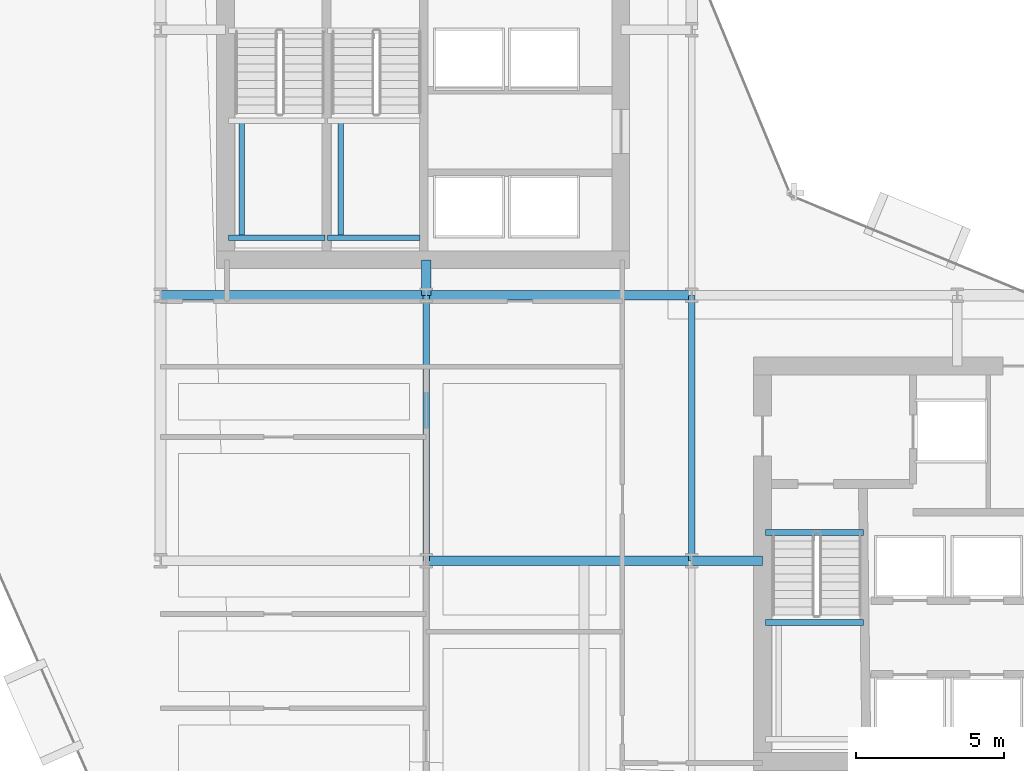
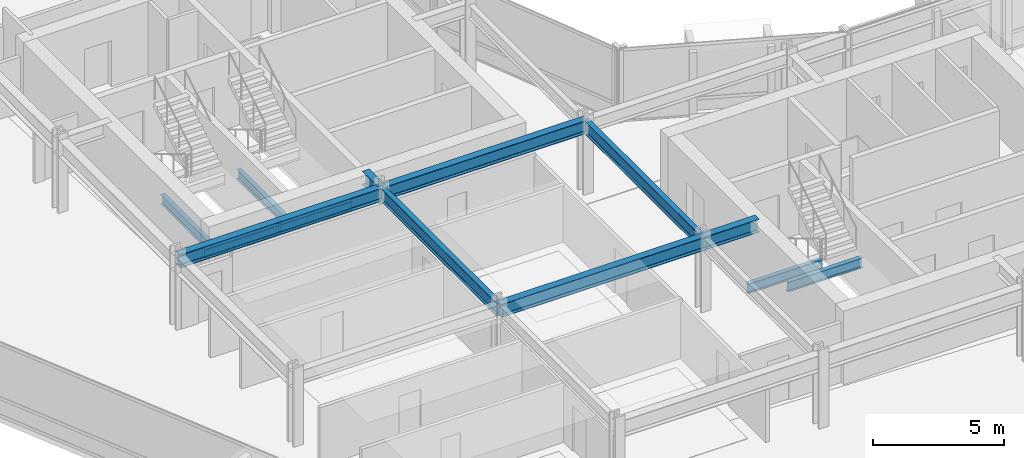
# One storey, part 7 of 34: 13 beams.
"""IFC4 building model written with IfcOpenShell, lengths in metres."""

from ifc_helpers import new_model, si_unit, direction, frame, origin, origin_2d, place, context, subcontext, project, spatial, i_section, extrude, material, material_profile, profile_set, type_object, element, save


model = new_model("IFC4")

# Units and contexts
model_context = context("Model", 3, precision=1e-05, world=origin(), true_north=direction((0.0, 1.0)))
body_context = subcontext(model_context, "Body", "Model", "MODEL_VIEW")
ifc_project = project(units=[si_unit("LENGTHUNIT", "METRE"), si_unit("AREAUNIT", "SQUARE_METRE"), si_unit("VOLUMEUNIT", "CUBIC_METRE"), si_unit("PLANEANGLEUNIT", "RADIAN"), si_unit("MASSUNIT", "GRAM", prefix="KILO")], contexts=[model_context])

# Site, building, storey
site_placement = place(None, origin())
site = spatial("IfcSite", under=ifc_project, at=site_placement, CompositionType="ELEMENT")
building_placement = place(site_placement, origin())
building = spatial("IfcBuilding", under=site, at=building_placement, Name="Solvaryn Broadcast Tower", CompositionType="ELEMENT")
storey_placement = place(building_placement, frame((0.0, 0.0, 65.60009765625)))
storey = spatial("IfcBuildingStorey", under=building, at=storey_placement, Name="L15", CompositionType="ELEMENT", Elevation=65.60009765625)

# Beams
ifc_material_1 = material(Name="Steel ASTM A992 Grade 50", Category="steel")
ifc_material_profile_1 = material_profile(ifc_material_1, i_section(OverallWidth=0.323974609375, OverallDepth=0.611083984375, WebThickness=0.0126953125, FlangeThickness=0.01904296875, FilletRadius=0.014892578125, at=origin_2d()))
ifc_profile_set_1 = profile_set([ifc_material_profile_1], Name="Steel ASTM A992 Grade 50")
beam_type_1 = type_object("IfcBeamType", Name="BM-B1-W24X104", PredefinedType="BEAM", material=ifc_profile_set_1)
for number, where, z_axis, x_axis, name in (
    (1, (18.0, 18.0, 3.114501953125), (1.0, 0.0, 0.0), (0.0, 1.0, 0.0), "L15 Primary Beam X (18-27 @ Y=18)"),
    (2, (9.0, 27.0, 3.114501953125), (1.0, 0.0, 0.0), (0.0, 1.0, 0.0), "L15 Primary Beam X (9-18 @ Y=27)"),
    (3, (18.0, 27.0, 3.114501953125), (1.0, 0.0, 0.0), (0.0, 1.0, 0.0), "L15 Primary Beam X (18-27 @ Y=27)"),
):
    element("IfcBeam", number, at=place(storey_placement, frame(where, z_axis=z_axis, x_axis=x_axis)), inside=storey, type_object=beam_type_1, Name=name, PredefinedType="BEAM", context=body_context, shape_type="SweptSolid", body=[
        extrude(i_section(OverallWidth=0.323974609375, OverallDepth=0.611083984375, WebThickness=0.0126953125, FlangeThickness=0.01904296875, FilletRadius=0.014892578125, at=origin_2d()), origin(), (0.0, 0.0, 1.0), 9.0),
    ])
beam_1_placement = place(storey_placement, frame((18.0, 27.0, 3.114501953125), z_axis=(0.0, 1.0, 0.0), x_axis=(-1.0, 0.0, 0.0)))
element("IfcBeam", 4, at=beam_1_placement, inside=storey, type_object=beam_type_1, Name="L15 Core Tie Beam CTW4", PredefinedType="BEAM", context=body_context, shape_type="SweptSolid", body=[
    extrude(i_section(OverallWidth=0.323974609375, OverallDepth=0.611083984375, WebThickness=0.0126953125, FlangeThickness=0.01904296875, FilletRadius=0.014892578125, at=origin_2d()), origin(), (0.0, 0.0, 1.0), 1.199951171875),
])
beam_2_placement = place(storey_placement, frame((27.0, 18.0, 3.114501953125), z_axis=(1.0, 0.0, 0.0), x_axis=(0.0, 1.0, 0.0)))
element("IfcBeam", 5, at=beam_2_placement, inside=storey, type_object=beam_type_1, Name="L15 Core Tie Beam CTE4", PredefinedType="BEAM", context=body_context, shape_type="SweptSolid", body=[
    extrude(i_section(OverallWidth=0.323974609375, OverallDepth=0.611083984375, WebThickness=0.0126953125, FlangeThickness=0.01904296875, FilletRadius=0.014892578125, at=origin_2d()), origin(), (0.0, 0.0, 1.0), 2.39990234375),
])
ifc_material_2 = material(Name="Steel ASTM A992 Grade 50", Category="steel")
ifc_material_profile_2 = material_profile(ifc_material_2, i_section(OverallWidth=0.22802734375, OverallDepth=0.60791015625, WebThickness=0.01123046875, FlangeThickness=0.017333984375, FilletRadius=0.014892578125, at=origin_2d()))
ifc_profile_set_2 = profile_set([ifc_material_profile_2], Name="Steel ASTM A992 Grade 50")
beam_type_2 = type_object("IfcBeamType", Name="BM-B2-W24X76", PredefinedType="BEAM", material=ifc_profile_set_2)
for number, where, z_axis, x_axis, name in (
    (6, (18.0, 18.0, 3.115966796875), (0.0, 1.0, 0.0), (-1.0, 0.0, 0.0), "L15 Primary Beam Y (18-27 @ X=18)"),
    (7, (27.0, 18.0, 3.115966796875), (0.0, 1.0, 0.0), (-1.0, 0.0, 0.0), "L15 Primary Beam Y (18-27 @ X=27)"),
):
    element("IfcBeam", number, at=place(storey_placement, frame(where, z_axis=z_axis, x_axis=x_axis)), inside=storey, type_object=beam_type_2, Name=name, PredefinedType="BEAM", context=body_context, shape_type="SweptSolid", body=[
        extrude(i_section(OverallWidth=0.22802734375, OverallDepth=0.60791015625, WebThickness=0.01123046875, FlangeThickness=0.017333984375, FilletRadius=0.014892578125, at=origin_2d()), origin(), (0.0, 0.0, 1.0), 9.0),
    ])
ifc_material_3 = material(Name="Steel ASTM A992 Grade 50", Category="steel")
ifc_material_profile_3 = material_profile(ifc_material_3, i_section(OverallWidth=0.18994140625, OverallDepth=0.45703125, WebThickness=0.009033203125, FlangeThickness=0.014404296875, FilletRadius=0.011962890625, at=origin_2d()))
ifc_profile_set_3 = profile_set([ifc_material_profile_3], Name="Steel ASTM A992 Grade 50")
beam_type_3 = type_object("IfcBeamType", Name="BM-B4-W18X50", PredefinedType="BEAM", material=ifc_profile_set_3)
beam_3_placement = place(storey_placement, frame((11.300048828125, 28.949951171875, 1.42138671875), z_axis=(1.0, 0.0, 0.0), x_axis=(0.0, 1.0, 0.0)))
element("IfcBeam", 8, at=beam_3_placement, inside=storey, type_object=beam_type_3, Name="L15 ST1 Landing Support Beam 1A", PredefinedType="BEAM", context=body_context, shape_type="SweptSolid", body=[
    extrude(i_section(OverallWidth=0.18994140625, OverallDepth=0.45703125, WebThickness=0.009033203125, FlangeThickness=0.014404296875, FilletRadius=0.011962890625, at=origin_2d()), origin(), (0.0, 0.0, 1.0), 3.280029296875),
])
beam_4_placement = place(storey_placement, frame((11.75, 28.949951171875, 1.42138671875), z_axis=(0.0, 1.0, 0.0), x_axis=(-1.0, 0.0, 0.0)))
element("IfcBeam", 9, at=beam_4_placement, inside=storey, type_object=beam_type_3, Name="L15 ST1 Landing Cross Stringer 1C", PredefinedType="BEAM", context=body_context, shape_type="SweptSolid", body=[
    extrude(i_section(OverallWidth=0.18994140625, OverallDepth=0.45703125, WebThickness=0.009033203125, FlangeThickness=0.014404296875, FilletRadius=0.011962890625, at=origin_2d()), origin(), (0.0, 0.0, 1.0), 3.9599609375),
])
beam_5_placement = place(storey_placement, frame((14.659912109375, 28.949951171875, 1.42138671875), z_axis=(1.0, 0.0, 0.0), x_axis=(0.0, 1.0, 0.0)))
element("IfcBeam", 10, at=beam_5_placement, inside=storey, type_object=beam_type_3, Name="L15 ST2 Landing Support Beam 1A", PredefinedType="BEAM", context=body_context, shape_type="SweptSolid", body=[
    extrude(i_section(OverallWidth=0.18994140625, OverallDepth=0.45703125, WebThickness=0.009033203125, FlangeThickness=0.014404296875, FilletRadius=0.011962890625, at=origin_2d()), origin(), (0.0, 0.0, 1.0), 3.14013671875),
])
beam_6_placement = place(storey_placement, frame((15.110107421875, 28.949951171875, 1.42138671875), z_axis=(0.0, 1.0, 0.0), x_axis=(-1.0, 0.0, 0.0)))
element("IfcBeam", 11, at=beam_6_placement, inside=storey, type_object=beam_type_3, Name="L15 ST2 Landing Cross Stringer 1C", PredefinedType="BEAM", context=body_context, shape_type="SweptSolid", body=[
    extrude(i_section(OverallWidth=0.18994140625, OverallDepth=0.45703125, WebThickness=0.009033203125, FlangeThickness=0.014404296875, FilletRadius=0.011962890625, at=origin_2d()), origin(), (0.0, 0.0, 1.0), 3.9599609375),
])
for number, where, z_axis, x_axis, name in (
    (12, (29.5, 18.9599609375, -0.508544921875), (1.0, 0.0, 0.0), (0.0, 1.0, 0.0), "L15 ST3 Stair Well Trimmer Beam"),
    (13, (29.5, 15.909912109375, 1.42138671875), (1.0, 0.0, 0.0), (0.0, 1.0, 0.0), "L15 ST3 Landing Support Beam 1B"),
):
    element("IfcBeam", number, at=place(storey_placement, frame(where, z_axis=z_axis, x_axis=x_axis)), inside=storey, type_object=beam_type_3, Name=name, PredefinedType="BEAM", context=body_context, shape_type="SweptSolid", body=[
        extrude(i_section(OverallWidth=0.18994140625, OverallDepth=0.45703125, WebThickness=0.009033203125, FlangeThickness=0.014404296875, FilletRadius=0.011962890625, at=origin_2d()), origin(), (0.0, 0.0, 1.0), 3.320068359375),
    ])

save(model, "model.ifc")
